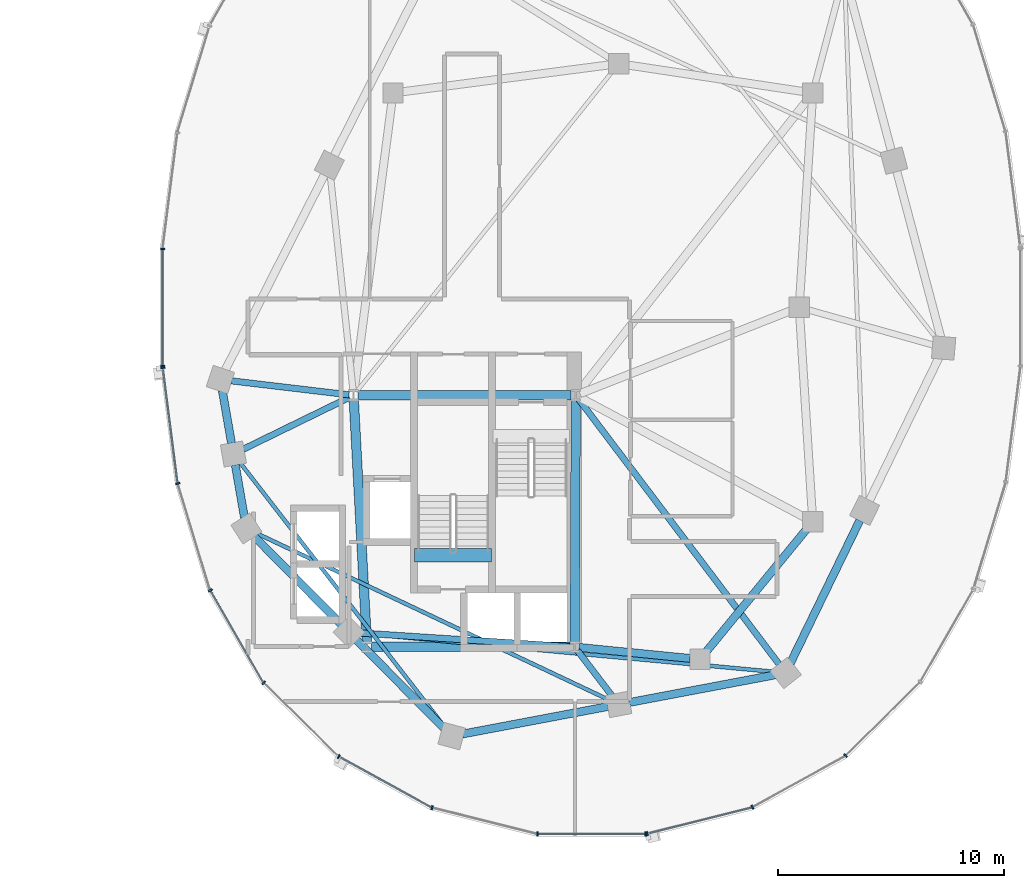
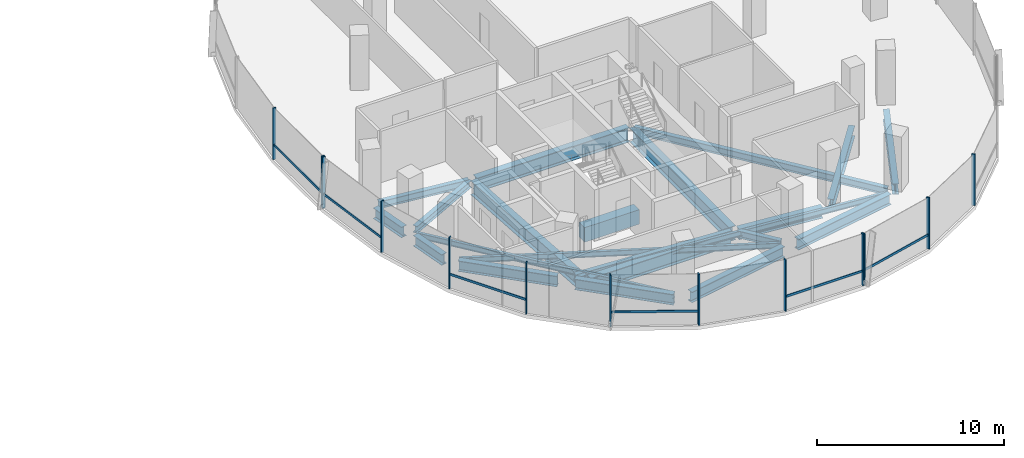
# One storey, part 6 of 21: 22 beams, 19 members, 3 elements without a shape of their own.
"""IFC4 building model written with IfcOpenShell, lengths in metres."""

from ifc_helpers import new_model, si_unit, direction, frame, origin, origin_2d, place, context, subcontext, project, spatial, rectangle, i_section, extrude, material, material_profile, profile_set, type_object, element, aggregate, save


model = new_model("IFC4")

# Units and contexts
model_context = context("Model", 3, precision=1e-05, world=origin(), true_north=direction((0.0, 1.0)))
body_context = subcontext(model_context, "Body", "Model", "MODEL_VIEW")
ifc_project = project(units=[si_unit("LENGTHUNIT", "METRE"), si_unit("AREAUNIT", "SQUARE_METRE"), si_unit("VOLUMEUNIT", "CUBIC_METRE"), si_unit("PLANEANGLEUNIT", "RADIAN"), si_unit("MASSUNIT", "GRAM", prefix="KILO"), si_unit("THERMODYNAMICTEMPERATUREUNIT", "KELVIN"), si_unit("POWERUNIT", "WATT")], contexts=[model_context])

# Site, building, storey
site_placement = place(None, origin())
site = spatial("IfcSite", under=ifc_project, at=site_placement, CompositionType="ELEMENT")
building_placement = place(site_placement, origin())
building = spatial("IfcBuilding", under=site, at=building_placement, Name="Cundina Bronze Exchange", CompositionType="ELEMENT")
storey_placement = place(building_placement, frame((0.0, 0.0, 180.0)))
storey = spatial("IfcBuildingStorey", under=building, at=storey_placement, Name="L47", CompositionType="ELEMENT", Elevation=180.0)

# Beams
ifc_material_1 = material(Name="Concrete C60/75", Category="concrete")
ifc_material_profile_1 = material_profile(ifc_material_1, rectangle(XDim=0.60009765625, YDim=0.949951171875, at=origin_2d()), Name="RC600X950", Category="concrete")
ifc_profile_set_1 = profile_set([ifc_material_profile_1], Name="Concrete C60/75")
beam_type_1 = type_object("IfcBeamType", Name="BM-COUP-RC950", PredefinedType="LINTEL", material=ifc_profile_set_1)
beam_1_placement = place(storey_placement, frame((24.159912109375, -10.97998046875, -0.47509765625), z_axis=(1.0, 0.0, 0.0), x_axis=(0.0, 1.0, 0.0)))
element("IfcBeam", 1, at=beam_1_placement, inside=storey, type_object=beam_type_1, Name="L47 Stair E2 Landing Header Beam", PredefinedType="LINTEL", context=body_context, shape_type="SweptSolid", body=[
    extrude(rectangle(XDim=0.60009765625, YDim=0.949951171875, at=origin_2d()), origin(), (0.0, 0.0, 1.0), 3.400146484375),
])
ifc_material_2 = material(Name="Steel ASTM A992 Grade 50", Category="steel")
ifc_material_profile_2 = material_profile(ifc_material_2, i_section(OverallWidth=0.280029296875, OverallDepth=0.462890625, WebThickness=0.0107421875, FlangeThickness=0.017333984375, FilletRadius=0.011962890625, at=origin_2d()), Name="W18X76", Category="steel")
ifc_profile_set_2 = profile_set([ifc_material_profile_2], Name="Steel ASTM A992 Grade 50")
beam_type_2 = type_object("IfcBeamType", Name="BM-FLR-W18A", PredefinedType="BEAM", material=ifc_profile_set_2)
beam_2_placement = place(storey_placement, frame((21.247314453125, -3.8759765625, -0.471435546875), z_axis=(-0.993036158382, 0.11780996624, 0.0), x_axis=(-0.11780996624, -0.993036158382, 0.0)))
element("IfcBeam", 2, at=beam_2_placement, inside=storey, type_object=beam_type_2, Name="L47 Leg E Chordal Floor Beam 00", PredefinedType="BEAM", context=body_context, shape_type="SweptSolid", body=[
    extrude(i_section(OverallWidth=0.280029296875, OverallDepth=0.462890625, WebThickness=0.0107421875, FlangeThickness=0.017333984375, FilletRadius=0.011962890625, at=origin_2d()), origin(), (0.0, 0.0, 1.0), 5.249267578125),
])
beam_3_placement = place(storey_placement, frame((21.2666015625, -3.989501953125, -0.471435546875), z_axis=(-0.898604300669, -0.438759969481, 0.0), x_axis=(0.438759969481, -0.898604300669, 0.0)))
element("IfcBeam", 3, at=beam_3_placement, inside=storey, type_object=beam_type_2, Name="L47 Leg E Chordal Floor Beam 01", PredefinedType="BEAM", context=body_context, shape_type="SweptSolid", body=[
    extrude(i_section(OverallWidth=0.280029296875, OverallDepth=0.462890625, WebThickness=0.0107421875, FlangeThickness=0.017333984375, FilletRadius=0.011962890625, at=origin_2d()), origin(), (0.0, 0.0, 1.0), 5.23388671875),
])
beam_4_placement = place(storey_placement, frame((31.04638671875, -15.036865234375, -0.471435546875), z_axis=(-0.99789334888, 0.064875760192, 0.0), x_axis=(-0.064875760192, -0.99789334888, 0.0)))
element("IfcBeam", 4, at=beam_4_placement, inside=storey, type_object=beam_type_2, Name="L47 Leg E Chordal Floor Beam 03", PredefinedType="BEAM", context=body_context, shape_type="SweptSolid", body=[
    extrude(i_section(OverallWidth=0.280029296875, OverallDepth=0.462890625, WebThickness=0.0107421875, FlangeThickness=0.017333984375, FilletRadius=0.011962890625, at=origin_2d()), origin(), (0.0, 0.0, 1.0), 9.328857421875),
])
beam_5_placement = place(storey_placement, frame((31.373779296875, -15.2119140625, -0.471435546875), z_axis=(0.607450107571, -0.794357832977, 0.0), x_axis=(0.794357832977, 0.607450107571, 0.0)))
element("IfcBeam", 5, at=beam_5_placement, inside=storey, type_object=beam_type_2, Name="L47 Leg E Chordal Floor Beam 05", PredefinedType="BEAM", context=body_context, shape_type="SweptSolid", body=[
    extrude(i_section(OverallWidth=0.280029296875, OverallDepth=0.462890625, WebThickness=0.0107421875, FlangeThickness=0.017333984375, FilletRadius=0.011962890625, at=origin_2d()), origin(), (0.0, 0.0, 1.0), 2.518310546875),
])
beam_6_placement = place(storey_placement, frame((31.423095703125, -4.062744140625, -0.471435546875), z_axis=(0.603103901721, -0.797662637792, 0.0), x_axis=(0.797662637792, 0.603103901721, 0.0)))
element("IfcBeam", 6, at=beam_6_placement, inside=storey, type_object=beam_type_2, Name="L47 Leg E Chordal Floor Beam 06", PredefinedType="BEAM", context=body_context, shape_type="SweptSolid", body=[
    extrude(i_section(OverallWidth=0.280029296875, OverallDepth=0.462890625, WebThickness=0.0107421875, FlangeThickness=0.017333984375, FilletRadius=0.011962890625, at=origin_2d()), origin(), (0.0, 0.0, 1.0), 14.72802734375),
])
ifc_material_profile_3 = material_profile(ifc_material_2, i_section(OverallWidth=0.172119140625, OverallDepth=0.35791015625, WebThickness=0.0078125, FlangeThickness=0.01318359375, FilletRadius=0.010009765625, at=origin_2d()), Name="W14X38", Category="steel")
ifc_profile_set_3 = profile_set([ifc_material_profile_3], Name="Steel ASTM A992 Grade 50")
beam_type_3 = type_object("IfcBeamType", Name="BM-JST-W14", PredefinedType="JOIST", material=ifc_profile_set_3)
beam_7_placement = place(storey_placement, frame((16.423583984375, -6.885986328125, -0.4189453125), z_axis=(0.61208354334, -0.790793105668, 0.0), x_axis=(0.790793105668, 0.61208354334, 0.0)))
element("IfcBeam", 7, at=beam_7_placement, inside=storey, type_object=beam_type_3, Name="L47 Leg E Lobe Floor Joist 01-04", PredefinedType="JOIST", context=body_context, shape_type="SweptSolid", body=[
    extrude(i_section(OverallWidth=0.172119140625, OverallDepth=0.35791015625, WebThickness=0.0078125, FlangeThickness=0.01318359375, FilletRadius=0.010009765625, at=origin_2d()), origin(), (0.0, 0.0, 1.0), 14.830810546875),
])
beam_8_placement = place(storey_placement, frame((17.14111328125, -10.008544921875, -0.4189453125), z_axis=(0.904074252188, -0.427375416385, 0.0), x_axis=(0.427375416385, 0.904074252188, 0.0)))
element("IfcBeam", 8, at=beam_8_placement, inside=storey, type_object=beam_type_3, Name="L47 Leg E Lobe Floor Joist 02-05", PredefinedType="JOIST", context=body_context, shape_type="SweptSolid", body=[
    extrude(i_section(OverallWidth=0.172119140625, OverallDepth=0.35791015625, WebThickness=0.0078125, FlangeThickness=0.01318359375, FilletRadius=0.010009765625, at=origin_2d()), origin(), (0.0, 0.0, 1.0), 17.274658203125),
])
beam_9_placement = place(storey_placement, frame((21.73583984375, -14.4453125, -0.4189453125), z_axis=(0.995701840093, -0.092616659595, 0.0), x_axis=(0.092616659595, 0.995701840093, 0.0)))
element("IfcBeam", 9, at=beam_9_placement, inside=storey, type_object=beam_type_3, Name="L47 Leg E Lobe Floor Joist 03-06", PredefinedType="JOIST", context=body_context, shape_type="SweptSolid", body=[
    extrude(i_section(OverallWidth=0.172119140625, OverallDepth=0.35791015625, WebThickness=0.0078125, FlangeThickness=0.01318359375, FilletRadius=0.010009765625, at=origin_2d()), origin(), (0.0, 0.0, 1.0), 18.45751953125),
])
ifc_material_profile_4 = material_profile(ifc_material_2, i_section(OverallWidth=0.35498046875, OverallDepth=0.695068359375, WebThickness=0.015380859375, FlangeThickness=0.02490234375, FilletRadius=0.01806640625, at=origin_2d()), Name="W27X146", Category="steel")
ifc_profile_set_4 = profile_set([ifc_material_profile_4], Name="Steel ASTM A992 Grade 50")
beam_type_4 = type_object("IfcBeamType", Name="BM-RING-W27", PredefinedType="USERDEFINED", material=ifc_profile_set_4)
beam_10_placement = place(storey_placement, frame((31.452880859375, -15.070068359375, -0.58740234375), z_axis=(0.995123020608, -0.098641643622, 0.0), x_axis=(0.098641643622, 0.995123020608, 0.0)))
element("IfcBeam", 10, at=beam_10_placement, inside=storey, type_object=beam_type_4, Name="L47 E Inner Structural Ring Girder 01", ObjectType="GIRDER", PredefinedType="USERDEFINED", context=body_context, shape_type="SweptSolid", body=[
    extrude(i_section(OverallWidth=0.35498046875, OverallDepth=0.695068359375, WebThickness=0.015380859375, FlangeThickness=0.02490234375, FilletRadius=0.01806640625, at=origin_2d()), origin(), (0.0, 0.0, 1.0), 4.935302734375),
])
beam_11_placement = place(storey_placement, frame((37.07763671875, -15.26123046875, -0.58740234375), z_axis=(0.633912590175, 0.77340469873, 0.0), x_axis=(-0.77340469873, 0.633912590175, 0.0)))
element("IfcBeam", 11, at=beam_11_placement, inside=storey, type_object=beam_type_4, Name="L47 E Inner Structural Ring Girder 02", ObjectType="GIRDER", PredefinedType="USERDEFINED", context=body_context, shape_type="SweptSolid", body=[
    extrude(i_section(OverallWidth=0.35498046875, OverallDepth=0.695068359375, WebThickness=0.015380859375, FlangeThickness=0.02490234375, FilletRadius=0.01806640625, at=origin_2d()), origin(), (0.0, 0.0, 1.0), 7.01123046875),
])
for number, where, z_axis, x_axis, name in (
    (12, (15.6337890625, -3.680908203125, -0.58740234375), (0.171666718895, -0.985155083032, 0.0), (0.985155083032, 0.171666718895, 0.0), "L47 E Perimeter Ring Girder 00"),
    (13, (16.208740234375, -6.980712890625, -0.58740234375), (0.171666718895, -0.985155083032, 0.0), (0.985155083032, 0.171666718895, 0.0), "L47 E Perimeter Ring Girder 01"),
):
    element("IfcBeam", number, at=place(storey_placement, frame(where, z_axis=z_axis, x_axis=x_axis)), inside=storey, type_object=beam_type_4, Name=name, ObjectType="GIRDER", PredefinedType="USERDEFINED", context=body_context, shape_type="SweptSolid", body=[
        extrude(i_section(OverallWidth=0.35498046875, OverallDepth=0.695068359375, WebThickness=0.015380859375, FlangeThickness=0.02490234375, FilletRadius=0.01806640625, at=origin_2d()), origin(), (0.0, 0.0, 1.0), 2.37353515625),
    ])
beam_12_placement = place(storey_placement, frame((17.043212890625, -10.14697265625, -0.58740234375), z_axis=(0.703230112979, -0.710962311378, 0.0), x_axis=(0.710962311378, 0.703230112979, 0.0)))
element("IfcBeam", 14, at=beam_12_placement, inside=storey, type_object=beam_type_4, Name="L47 E Perimeter Ring Girder 02", ObjectType="GIRDER", PredefinedType="USERDEFINED", context=body_context, shape_type="SweptSolid", body=[
    extrude(i_section(OverallWidth=0.35498046875, OverallDepth=0.695068359375, WebThickness=0.015380859375, FlangeThickness=0.02490234375, FilletRadius=0.01806640625, at=origin_2d()), origin(), (0.0, 0.0, 1.0), 5.493896484375),
])
beam_13_placement = place(storey_placement, frame((21.59326171875, -14.746826171875, -0.58740234375), z_axis=(0.703207895705, -0.710984286337, 0.0), x_axis=(0.710984286337, 0.703207895705, 0.0)))
element("IfcBeam", 15, at=beam_13_placement, inside=storey, type_object=beam_type_4, Name="L47 E Perimeter Ring Girder 03", ObjectType="GIRDER", PredefinedType="USERDEFINED", context=body_context, shape_type="SweptSolid", body=[
    extrude(i_section(OverallWidth=0.35498046875, OverallDepth=0.695068359375, WebThickness=0.015380859375, FlangeThickness=0.02490234375, FilletRadius=0.01806640625, at=origin_2d()), origin(), (0.0, 0.0, 1.0), 5.494140625),
])
beam_14_placement = place(storey_placement, frame((26.279541015625, -18.9091796875, -0.58740234375), z_axis=(0.982571532667, 0.185884865421, 0.0), x_axis=(-0.185884865421, 0.982571532667, 0.0)))
element("IfcBeam", 16, at=beam_14_placement, inside=storey, type_object=beam_type_4, Name="L47 E Perimeter Ring Girder 04", ObjectType="GIRDER", PredefinedType="USERDEFINED", context=body_context, shape_type="SweptSolid", body=[
    extrude(i_section(OverallWidth=0.35498046875, OverallDepth=0.695068359375, WebThickness=0.015380859375, FlangeThickness=0.02490234375, FilletRadius=0.01806640625, at=origin_2d()), origin(), (0.0, 0.0, 1.0), 6.55517578125),
])
beam_15_placement = place(storey_placement, frame((33.679443359375, -17.50927734375, -0.58740234375), z_axis=(0.982572819495, 0.185878063226, 0.0), x_axis=(-0.185878063226, 0.982572819495, 0.0)))
element("IfcBeam", 17, at=beam_15_placement, inside=storey, type_object=beam_type_4, Name="L47 E Perimeter Ring Girder 05", ObjectType="GIRDER", PredefinedType="USERDEFINED", context=body_context, shape_type="SweptSolid", body=[
    extrude(i_section(OverallWidth=0.35498046875, OverallDepth=0.695068359375, WebThickness=0.015380859375, FlangeThickness=0.02490234375, FilletRadius=0.01806640625, at=origin_2d()), origin(), (0.0, 0.0, 1.0), 6.555419921875),
])
beam_16_placement = place(storey_placement, frame((40.8134765625, -15.760986328125, -0.58740234375), z_axis=(0.437196998825, 0.89936576776, 0.0), x_axis=(-0.89936576776, 0.437196998825, 0.0)))
element("IfcBeam", 18, at=beam_16_placement, inside=storey, type_object=beam_type_4, Name="L47 E Perimeter Ring Girder 06", ObjectType="GIRDER", PredefinedType="USERDEFINED", context=body_context, shape_type="SweptSolid", body=[
    extrude(i_section(OverallWidth=0.35498046875, OverallDepth=0.695068359375, WebThickness=0.015380859375, FlangeThickness=0.02490234375, FilletRadius=0.01806640625, at=origin_2d()), origin(), (0.0, 0.0, 1.0), 7.029541015625),
])
ifc_material_profile_5 = material_profile(ifc_material_2, i_section(OverallWidth=0.41796875, OverallDepth=0.927001953125, WebThickness=0.019287109375, FlangeThickness=0.031982421875, FilletRadius=0.02392578125, at=origin_2d()), Name="W36X231", Category="steel")
ifc_profile_set_5 = profile_set([ifc_material_profile_5], Name="Steel ASTM A992 Grade 50")
beam_type_5 = type_object("IfcBeamType", Name="BM-WRN-W36B", PredefinedType="USERDEFINED", material=ifc_profile_set_5)
beam_17_placement = place(storey_placement, frame((31.095947265625, -3.89990234375, -0.70361328125), z_axis=(-1.0, 0.0, 0.0), x_axis=(0.0, -1.0, 0.0)))
element("IfcBeam", 19, at=beam_17_placement, inside=storey, type_object=beam_type_5, Name="L47 E Core Perimeter Tie Girder 1", ObjectType="GIRDER", PredefinedType="USERDEFINED", context=body_context, shape_type="SweptSolid", body=[
    extrude(i_section(OverallWidth=0.41796875, OverallDepth=0.927001953125, WebThickness=0.019287109375, FlangeThickness=0.031982421875, FilletRadius=0.02392578125, at=origin_2d()), origin(), (0.0, 0.0, 1.0), 9.44189453125),
])
beam_18_placement = place(storey_placement, frame((21.4609375, -4.103759765625, -0.70361328125), z_axis=(0.053739193498, -0.998555005537, 0.0), x_axis=(0.998555005537, 0.053739193498, 0.0)))
element("IfcBeam", 20, at=beam_18_placement, inside=storey, type_object=beam_type_5, Name="L47 E Core Perimeter Tie Girder 2", ObjectType="GIRDER", PredefinedType="USERDEFINED", context=body_context, shape_type="SweptSolid", body=[
    extrude(i_section(OverallWidth=0.41796875, OverallDepth=0.927001953125, WebThickness=0.019287109375, FlangeThickness=0.031982421875, FilletRadius=0.02392578125, at=origin_2d()), origin(), (0.0, 0.0, 1.0), 10.758056640625),
])
beam_19_placement = place(storey_placement, frame((22.25390625, -15.050048828125, -0.70361328125), z_axis=(1.0, 0.0, 0.0), x_axis=(0.0, 1.0, 0.0)))
element("IfcBeam", 21, at=beam_19_placement, inside=storey, type_object=beam_type_5, Name="L47 E Core Perimeter Tie Girder 3", ObjectType="GIRDER", PredefinedType="USERDEFINED", context=body_context, shape_type="SweptSolid", body=[
    extrude(i_section(OverallWidth=0.41796875, OverallDepth=0.927001953125, WebThickness=0.019287109375, FlangeThickness=0.031982421875, FilletRadius=0.02392578125, at=origin_2d()), origin(), (0.0, 0.0, 1.0), 8.7919921875),
])
beam_20_placement = place(storey_placement, frame((31.2509765625, -14.845947265625, -0.70361328125), z_axis=(0.004477329608, 0.99998997671, 0.0), x_axis=(-0.99998997671, 0.004477329608, 0.0)))
element("IfcBeam", 22, at=beam_20_placement, inside=storey, type_object=beam_type_5, Name="L47 E Core Perimeter Tie Girder 4", ObjectType="GIRDER", PredefinedType="USERDEFINED", context=body_context, shape_type="SweptSolid", body=[
    extrude(i_section(OverallWidth=0.41796875, OverallDepth=0.927001953125, WebThickness=0.019287109375, FlangeThickness=0.031982421875, FilletRadius=0.02392578125, at=origin_2d()), origin(), (0.0, 0.0, 1.0), 10.741943359375),
])

# Curtain wall, members
ifc_material_3 = material(Name="Anodised Bronze Aluminium 6063-T6", Category="aluminium")
curtain_wall_type = type_object("IfcCurtainWallType", Name="CWS-WST-PIN", PredefinedType="NOTDEFINED", material=ifc_material_3)
curtain_wall_1_placement = place(storey_placement, origin())
curtain_wall_1 = element("IfcCurtainWall", 23, at=curtain_wall_1_placement, inside=storey, type_object=curtain_wall_type, Name="L47 CW-04 Curtain Wall Run CWR-L47-E2", PredefinedType="NOTDEFINED")
ifc_material_profile_6 = material_profile(ifc_material_3, rectangle(XDim=0.070068359375, YDim=0.18994140625, at=origin_2d()), Name="AL70X190", Category="aluminium")
ifc_profile_set_6 = profile_set([ifc_material_profile_6], Name="Anodised Bronze Aluminium 6063-T6")
member_type_1 = type_object("IfcMemberType", Name="CWM-MUL-190", PredefinedType="MULLION", material=ifc_profile_set_6)
member_1_placement = place(storey_placement, frame((12.992919921875, 2.593017578125, 0.0), z_axis=(0.0, 0.0, 1.0), x_axis=(0.0, -1.0, 0.0)))
member_1 = element("IfcMember", 24, at=member_1_placement, type_object=member_type_1, Name="CW-04 Mullion 7", PredefinedType="MULLION", context=body_context, shape_type="SweptSolid", body=[
    extrude(rectangle(XDim=0.070068359375, YDim=0.18994140625, at=origin_2d()), origin(), (0.0, 0.0, 1.0), 3.360107421875),
])
member_2_placement = place(storey_placement, frame((12.992919921875, -2.593017578125, 0.0), z_axis=(0.0, 0.0, 1.0), x_axis=(0.0, -1.0, 0.0)))
member_2 = element("IfcMember", 25, at=member_2_placement, type_object=member_type_1, Name="CW-04 End Mullion", PredefinedType="MULLION", context=body_context, shape_type="SweptSolid", body=[
    extrude(rectangle(XDim=0.070068359375, YDim=0.18994140625, at=origin_2d()), origin(), (0.0, 0.0, 1.0), 3.360107421875),
])

curtain_wall_2_placement = place(storey_placement, origin())
curtain_wall_2 = element("IfcCurtainWall", 26, at=curtain_wall_2_placement, inside=storey, type_object=curtain_wall_type, Name="L47 CW-04 Curtain Wall Run CWR-L47-E3", PredefinedType="NOTDEFINED")
member_3_placement = place(storey_placement, frame((12.998291015625, -2.676025390625, 0.0), z_axis=(0.0, 0.0, 1.0), x_axis=(0.126545236492, -0.991960837494, 0.0)))
member_3 = element("IfcMember", 27, at=member_3_placement, type_object=member_type_1, Name="CW-04 Mullion 1", PredefinedType="MULLION", context=body_context, shape_type="SweptSolid", body=[
    extrude(rectangle(XDim=0.070068359375, YDim=0.18994140625, at=origin_2d()), origin(), (0.0, 0.0, 1.0), 3.360107421875),
])
member_4_placement = place(storey_placement, frame((13.6591796875, -7.80859375, 0.0), z_axis=(0.0, 0.0, 1.0), x_axis=(0.290034140915, -0.957016299288, 0.0)))
member_4 = element("IfcMember", 28, at=member_4_placement, type_object=member_type_1, Name="CW-04 Mullion 2", PredefinedType="MULLION", context=body_context, shape_type="SweptSolid", body=[
    extrude(rectangle(XDim=0.070068359375, YDim=0.18994140625, at=origin_2d()), origin(), (0.0, 0.0, 1.0), 3.360107421875),
])
member_5_placement = place(storey_placement, frame((15.10205078125, -12.541259765625, 0.0), z_axis=(0.0, 0.0, 1.0), x_axis=(0.498487739754, -0.866896748936, 0.0)))
member_5 = element("IfcMember", 29, at=member_5_placement, type_object=member_type_1, Name="CW-04 Mullion 3", PredefinedType="MULLION", context=body_context, shape_type="SweptSolid", body=[
    extrude(rectangle(XDim=0.070068359375, YDim=0.18994140625, at=origin_2d()), origin(), (0.0, 0.0, 1.0), 3.360107421875),
])
member_6_placement = place(storey_placement, frame((17.469482421875, -16.640380859375, 0.0), z_axis=(0.0, 0.0, 1.0), x_axis=(0.712026045991, -0.702153052995, 0.0)))
member_6 = element("IfcMember", 30, at=member_6_placement, type_object=member_type_1, Name="CW-04 Mullion 4", PredefinedType="MULLION", context=body_context, shape_type="SweptSolid", body=[
    extrude(rectangle(XDim=0.070068359375, YDim=0.18994140625, at=origin_2d()), origin(), (0.0, 0.0, 1.0), 3.360107421875),
])
member_7_placement = place(storey_placement, frame((20.79345703125, -19.906005859375, 0.0), z_axis=(0.0, 0.0, 1.0), x_axis=(0.875885937035, -0.482518212408, 0.0)))
member_7 = element("IfcMember", 31, at=member_7_placement, type_object=member_type_1, Name="CW-04 Mullion 5", PredefinedType="MULLION", context=body_context, shape_type="SweptSolid", body=[
    extrude(rectangle(XDim=0.070068359375, YDim=0.18994140625, at=origin_2d()), origin(), (0.0, 0.0, 1.0), 3.360107421875),
])
member_8_placement = place(storey_placement, frame((24.932373046875, -22.17626953125, 0.0), z_axis=(0.0, 0.0, 1.0), x_axis=(0.970084240161, -0.242768546132, 0.0)))
member_8 = element("IfcMember", 32, at=member_8_placement, type_object=member_type_1, Name="CW-04 Mullion 6", PredefinedType="MULLION", context=body_context, shape_type="SweptSolid", body=[
    extrude(rectangle(XDim=0.070068359375, YDim=0.18994140625, at=origin_2d()), origin(), (0.0, 0.0, 1.0), 3.360107421875),
])
member_9_placement = place(storey_placement, frame((29.60595703125, -23.3369140625, 0.0), z_axis=(0.0, 0.0, 1.0), x_axis=(1.0, 0.0, 0.0)))
member_9 = element("IfcMember", 33, at=member_9_placement, type_object=member_type_1, Name="CW-04 Mullion 7", PredefinedType="MULLION", context=body_context, shape_type="SweptSolid", body=[
    extrude(rectangle(XDim=0.070068359375, YDim=0.18994140625, at=origin_2d()), origin(), (0.0, 0.0, 1.0), 3.360107421875),
])
member_10_placement = place(storey_placement, frame((34.39404296875, -23.3369140625, 0.0), z_axis=(0.0, 0.0, 1.0), x_axis=(1.0, 0.0, 0.0)))
member_10 = element("IfcMember", 34, at=member_10_placement, type_object=member_type_1, Name="CW-04 End Mullion", PredefinedType="MULLION", context=body_context, shape_type="SweptSolid", body=[
    extrude(rectangle(XDim=0.070068359375, YDim=0.18994140625, at=origin_2d()), origin(), (0.0, 0.0, 1.0), 3.360107421875),
])

curtain_wall_3_placement = place(storey_placement, origin())
curtain_wall_3 = element("IfcCurtainWall", 35, at=curtain_wall_3_placement, inside=storey, type_object=curtain_wall_type, Name="L47 CW-04 Curtain Wall Run CWR-L47-E4", PredefinedType="NOTDEFINED")
member_11_placement = place(storey_placement, frame((34.462646484375, -23.32861328125, 0.0), z_axis=(0.0, 0.0, 1.0), x_axis=(0.970084240161, 0.242768546132, 0.0)))
member_11 = element("IfcMember", 36, at=member_11_placement, type_object=member_type_1, Name="CW-04 Mullion 1", PredefinedType="MULLION", context=body_context, shape_type="SweptSolid", body=[
    extrude(rectangle(XDim=0.070068359375, YDim=0.18994140625, at=origin_2d()), origin(), (0.0, 0.0, 1.0), 3.360107421875),
])
member_12_placement = place(storey_placement, frame((39.13037109375, -22.151611328125, 0.0), z_axis=(0.0, 0.0, 1.0), x_axis=(0.875885937035, 0.482518212408, 0.0)))
member_12 = element("IfcMember", 37, at=member_12_placement, type_object=member_type_1, Name="CW-04 Mullion 2", PredefinedType="MULLION", context=body_context, shape_type="SweptSolid", body=[
    extrude(rectangle(XDim=0.070068359375, YDim=0.18994140625, at=origin_2d()), origin(), (0.0, 0.0, 1.0), 3.360107421875),
])
member_13_placement = place(storey_placement, frame((43.259033203125, -19.86669921875, 0.0), z_axis=(0.0, 0.0, 1.0), x_axis=(0.712026045991, 0.702153052995, 0.0)))
member_13 = element("IfcMember", 38, at=member_13_placement, type_object=member_type_1, Name="CW-04 Mullion 3", PredefinedType="MULLION", context=body_context, shape_type="SweptSolid", body=[
    extrude(rectangle(XDim=0.070068359375, YDim=0.18994140625, at=origin_2d()), origin(), (0.0, 0.0, 1.0), 3.360107421875),
])

# Member
ifc_material_profile_7 = material_profile(ifc_material_3, rectangle(XDim=0.06494140625, YDim=0.14990234375, at=origin_2d()), Name="AL65X150", Category="aluminium")
ifc_profile_set_7 = profile_set([ifc_material_profile_7], Name="Anodised Bronze Aluminium 6063-T6")
member_type_2 = type_object("IfcMemberType", Name="CWM-TRN-150", PredefinedType="USERDEFINED", material=ifc_profile_set_7)
member_14_placement = place(storey_placement, frame((12.992919921875, 2.554443359375, 0.919921875), z_axis=(0.0, -1.0, 0.0), x_axis=(1.0, 0.0, 0.0)))
member_14 = element("IfcMember", 39, at=member_14_placement, type_object=member_type_2, Name="CW-04 Spandrel Transom 7", ObjectType="TRANSOM", PredefinedType="USERDEFINED", context=body_context, shape_type="SweptSolid", body=[
    extrude(rectangle(XDim=0.06494140625, YDim=0.14990234375, at=origin_2d()), origin(), (0.0, 0.0, 1.0), 5.10888671875),
])

aggregate(curtain_wall_1, [member_1, member_2, member_14])

member_15_placement = place(storey_placement, frame((13.003173828125, -2.71435546875, 0.919921875), z_axis=(0.12646340362, -0.991971273548, 0.0), x_axis=(0.991971273548, 0.12646340362, 0.0)))
member_15 = element("IfcMember", 40, at=member_15_placement, type_object=member_type_2, Name="CW-04 Spandrel Transom 1", ObjectType="TRANSOM", PredefinedType="USERDEFINED", context=body_context, shape_type="SweptSolid", body=[
    extrude(rectangle(XDim=0.06494140625, YDim=0.14990234375, at=origin_2d()), origin(), (0.0, 0.0, 1.0), 5.0966796875),
])

member_16_placement = place(storey_placement, frame((15.121337890625, -12.574462890625, 0.919921875), z_axis=(0.498479967047, -0.866901218394, 0.0), x_axis=(0.866901218394, 0.498479967047, 0.0)))
member_16 = element("IfcMember", 41, at=member_16_placement, type_object=member_type_2, Name="CW-04 Spandrel Transom 3", ObjectType="TRANSOM", PredefinedType="USERDEFINED", context=body_context, shape_type="SweptSolid", body=[
    extrude(rectangle(XDim=0.06494140625, YDim=0.14990234375, at=origin_2d()), origin(), (0.0, 0.0, 1.0), 4.66845703125),
])

member_17_placement = place(storey_placement, frame((20.8271484375, -19.924560546875, 0.919921875), z_axis=(0.875878981549, -0.482530838062, 0.0), x_axis=(0.482530838062, 0.875878981549, 0.0)))
member_17 = element("IfcMember", 42, at=member_17_placement, type_object=member_type_2, Name="CW-04 Spandrel Transom 5", ObjectType="TRANSOM", PredefinedType="USERDEFINED", context=body_context, shape_type="SweptSolid", body=[
    extrude(rectangle(XDim=0.06494140625, YDim=0.14990234375, at=origin_2d()), origin(), (0.0, 0.0, 1.0), 4.65380859375),
])

member_18_placement = place(storey_placement, frame((29.64453125, -23.3369140625, 0.919921875), z_axis=(1.0, 0.0, 0.0), x_axis=(0.0, 1.0, 0.0)))
member_18 = element("IfcMember", 43, at=member_18_placement, type_object=member_type_2, Name="CW-04 Spandrel Transom 7", ObjectType="TRANSOM", PredefinedType="USERDEFINED", context=body_context, shape_type="SweptSolid", body=[
    extrude(rectangle(XDim=0.06494140625, YDim=0.14990234375, at=origin_2d()), origin(), (0.0, 0.0, 1.0), 4.7109375),
])

aggregate(curtain_wall_2, [member_3, member_15, member_4, member_5, member_16, member_6, member_7, member_17, member_8, member_9, member_10, member_18])

member_19_placement = place(storey_placement, frame((34.5, -23.319091796875, 0.919921875), z_axis=(0.970100130035, 0.242705042606, 0.0), x_axis=(-0.242705042606, 0.970100130035, 0.0)))
member_19 = element("IfcMember", 44, at=member_19_placement, type_object=member_type_2, Name="CW-04 Spandrel Transom 1", ObjectType="TRANSOM", PredefinedType="USERDEFINED", context=body_context, shape_type="SweptSolid", body=[
    extrude(rectangle(XDim=0.06494140625, YDim=0.14990234375, at=origin_2d()), origin(), (0.0, 0.0, 1.0), 4.746826171875),
])

aggregate(curtain_wall_3, [member_11, member_19, member_12, member_13])

save(model, "model.ifc")
